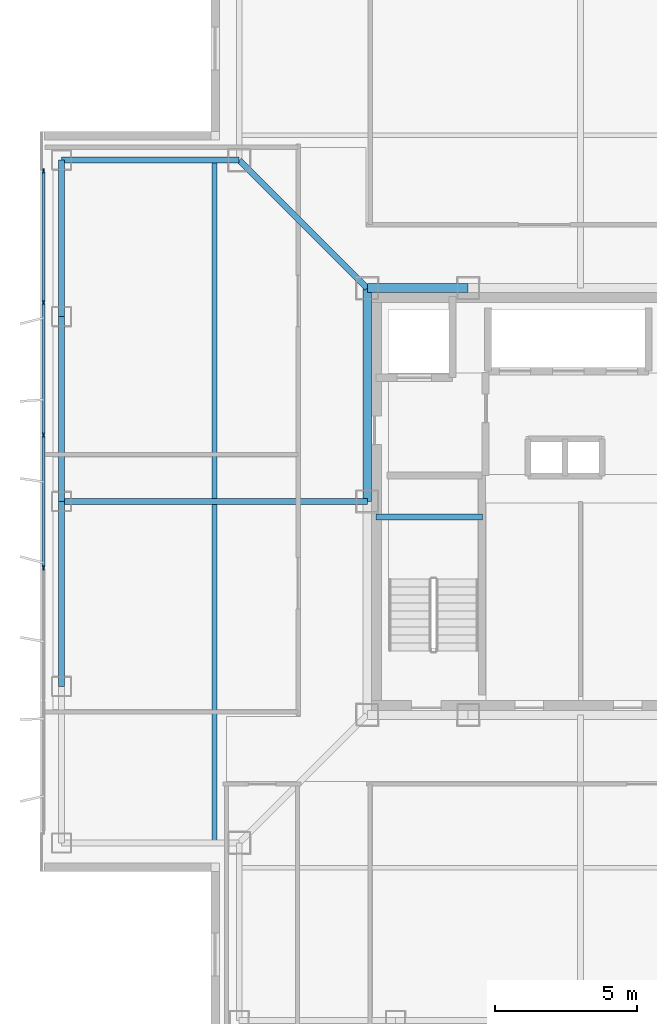
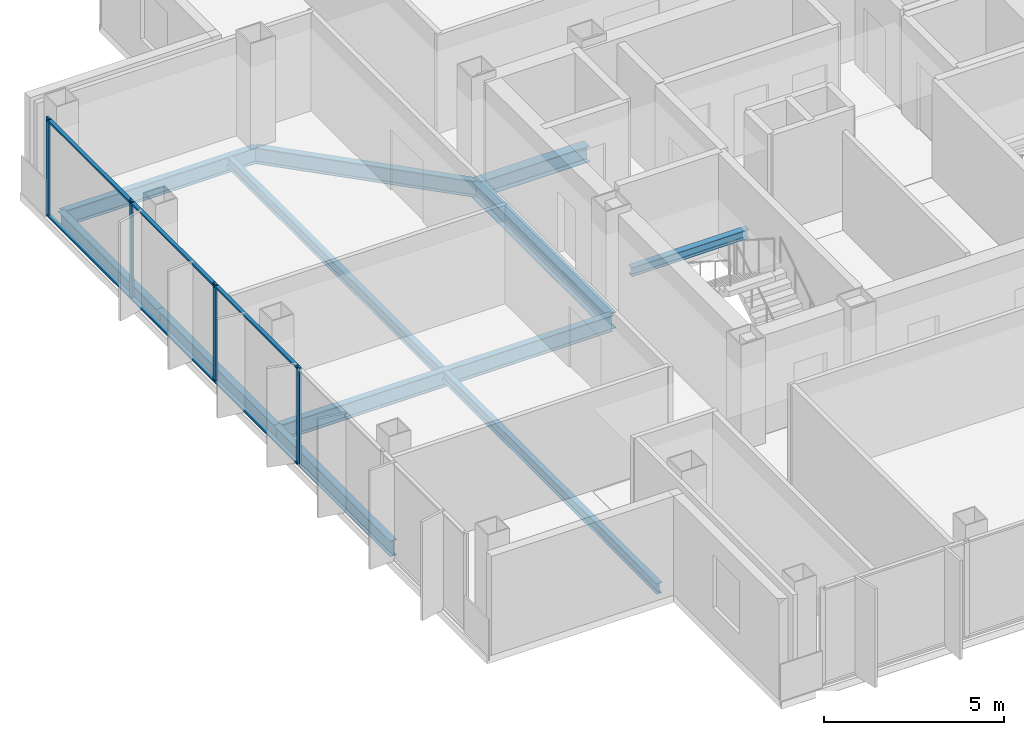
# One storey, part 4 of 15: 10 beams, 10 members, 1 element without a shape of its own.
"""IFC4 building model written with IfcOpenShell, lengths in metres."""

from ifc_helpers import new_model, si_unit, direction, frame, origin, origin_2d, place, context, subcontext, project, spatial, rectangle, i_section, extrude, material, layer, layer_set, material_profile, profile_set, type_object, element, aggregate, save


model = new_model("IFC4")

# Units and contexts
model_context = context("Model", 3, precision=1e-05, world=origin(), true_north=direction((0.0, 1.0)))
body_context = subcontext(model_context, "Body", "Model", "MODEL_VIEW")
ifc_project = project(units=[si_unit("LENGTHUNIT", "METRE"), si_unit("AREAUNIT", "SQUARE_METRE"), si_unit("VOLUMEUNIT", "CUBIC_METRE"), si_unit("PLANEANGLEUNIT", "RADIAN"), si_unit("MASSUNIT", "GRAM", prefix="KILO")], contexts=[model_context])

# Site, building, storey
site_placement = place(None, origin())
site = spatial("IfcSite", under=ifc_project, at=site_placement, CompositionType="ELEMENT")
building_placement = place(site_placement, origin())
building = spatial("IfcBuilding", under=site, at=building_placement, Name="Trevonay Congress Spire", CompositionType="ELEMENT")
storey_placement = place(building_placement, frame((0.0, 0.0, 261.199951171875)))
storey = spatial("IfcBuildingStorey", under=building, at=storey_placement, Name="L68", CompositionType="ELEMENT", Elevation=261.199951171875)

# Beams
ifc_material_1 = material(Name="Steel ASTM A572 Grade 50", Category="steel")
ifc_material_profile_1 = material_profile(ifc_material_1, i_section(OverallWidth=0.2119140625, OverallDepth=0.5439453125, WebThickness=0.01318359375, FlangeThickness=0.021240234375, FilletRadius=0.014892578125, at=origin_2d()), Name="W530x123")
ifc_profile_set_1 = profile_set([ifc_material_profile_1], Name="Steel ASTM A572 Grade 50")
beam_type_1 = type_object("IfcBeamType", Name="BM-GIRD-W530X123", PredefinedType="BEAM", material=ifc_profile_set_1)
beam_1_placement = place(storey_placement, frame((-7.5, 7.5, -0.511962890625), z_axis=(-0.707106781187, 0.707106781187, 0.0), x_axis=(-0.707106781187, -0.707106781187, 0.0)))
element("IfcBeam", 1, at=beam_1_placement, inside=storey, type_object=beam_type_1, Name="L68 structural beam BM-L68-CDNW", PredefinedType="BEAM", context=body_context, shape_type="SweptSolid", body=[
    extrude(i_section(OverallWidth=0.2119140625, OverallDepth=0.5439453125, WebThickness=0.01318359375, FlangeThickness=0.021240234375, FilletRadius=0.014892578125, at=origin_2d()), origin(), (0.0, 0.0, 1.0), 6.364013671875),
])
beam_2_placement = place(storey_placement, frame((-7.5, 0.0, -0.511962890625), z_axis=(-1.0, 0.0, 0.0), x_axis=(0.0, -1.0, 0.0)))
element("IfcBeam", 2, at=beam_2_placement, inside=storey, type_object=beam_type_1, Name="L68 structural beam BM-L68-GC-W", PredefinedType="BEAM", context=body_context, shape_type="SweptSolid", body=[
    extrude(i_section(OverallWidth=0.2119140625, OverallDepth=0.5439453125, WebThickness=0.01318359375, FlangeThickness=0.021240234375, FilletRadius=0.014892578125, at=origin_2d()), origin(), (0.0, 0.0, 1.0), 10.75),
])
ifc_material_profile_2 = material_profile(ifc_material_1, i_section(OverallWidth=0.31201171875, OverallDepth=0.54296875, WebThickness=0.0126953125, FlangeThickness=0.020263671875, FilletRadius=0.014892578125, at=origin_2d()), Name="W530x150")
ifc_profile_set_2 = profile_set([ifc_material_profile_2], Name="Steel ASTM A572 Grade 50")
beam_type_2 = type_object("IfcBeamType", Name="BM-GIRD-W530X150", PredefinedType="BEAM", material=ifc_profile_set_2)
beam_3_placement = place(storey_placement, frame((-7.5, 7.5, -0.511474609375), z_axis=(1.0, 0.0, 0.0), x_axis=(0.0, 1.0, 0.0)))
element("IfcBeam", 3, at=beam_3_placement, inside=storey, type_object=beam_type_2, Name="L68 structural beam BM-L68-CR-N1", PredefinedType="BEAM", context=body_context, shape_type="SweptSolid", body=[
    extrude(i_section(OverallWidth=0.31201171875, OverallDepth=0.54296875, WebThickness=0.0126953125, FlangeThickness=0.020263671875, FilletRadius=0.014892578125, at=origin_2d()), origin(), (0.0, 0.0, 1.0), 3.550048828125),
])
beam_4_placement = place(storey_placement, frame((-7.5, 0.0, -0.511474609375), z_axis=(0.0, 1.0, 0.0), x_axis=(-1.0, 0.0, 0.0)))
element("IfcBeam", 4, at=beam_4_placement, inside=storey, type_object=beam_type_2, Name="L68 structural beam BM-L68-CR-W2", PredefinedType="BEAM", context=body_context, shape_type="SweptSolid", body=[
    extrude(i_section(OverallWidth=0.31201171875, OverallDepth=0.54296875, WebThickness=0.0126953125, FlangeThickness=0.020263671875, FilletRadius=0.014892578125, at=origin_2d()), origin(), (0.0, 0.0, 1.0), 7.5),
])
ifc_material_profile_3 = material_profile(ifc_material_1, i_section(OverallWidth=0.208984375, OverallDepth=0.532958984375, WebThickness=0.01025390625, FlangeThickness=0.015625, FilletRadius=0.014892578125, at=origin_2d()), Name="W530x92")
ifc_profile_set_3 = profile_set([ifc_material_profile_3], Name="Steel ASTM A572 Grade 50")
beam_type_3 = type_object("IfcBeamType", Name="BM-RING-W530X92", PredefinedType="BEAM", material=ifc_profile_set_3)
for number, where, z_axis, x_axis, name in (
    (5, (-18.25, -6.5, -0.50634765625), (0.0, 1.0, 0.0), (-1.0, 0.0, 0.0), "L68 structural beam BM-L68-PW2"),
    (6, (-18.25, 0.0, -0.50634765625), (0.0, 1.0, 0.0), (-1.0, 0.0, 0.0), "L68 structural beam BM-L68-PW3"),
):
    element("IfcBeam", number, at=place(storey_placement, frame(where, z_axis=z_axis, x_axis=x_axis)), inside=storey, type_object=beam_type_3, Name=name, PredefinedType="BEAM", context=body_context, shape_type="SweptSolid", body=[
        extrude(i_section(OverallWidth=0.208984375, OverallDepth=0.532958984375, WebThickness=0.01025390625, FlangeThickness=0.015625, FilletRadius=0.014892578125, at=origin_2d()), origin(), (0.0, 0.0, 1.0), 6.5),
    ])
beam_5_placement = place(storey_placement, frame((-18.25, 6.5, -0.50634765625), z_axis=(0.0, 1.0, 0.0), x_axis=(-1.0, 0.0, 0.0)))
element("IfcBeam", 7, at=beam_5_placement, inside=storey, type_object=beam_type_3, Name="L68 structural beam BM-L68-PW4", PredefinedType="BEAM", context=body_context, shape_type="SweptSolid", body=[
    extrude(i_section(OverallWidth=0.208984375, OverallDepth=0.532958984375, WebThickness=0.01025390625, FlangeThickness=0.015625, FilletRadius=0.014892578125, at=origin_2d()), origin(), (0.0, 0.0, 1.0), 5.5),
])
beam_6_placement = place(storey_placement, frame((-18.25, 12.0, -0.50634765625), z_axis=(1.0, 0.0, 0.0), x_axis=(0.0, 1.0, 0.0)))
element("IfcBeam", 8, at=beam_6_placement, inside=storey, type_object=beam_type_3, Name="L68 structural beam BM-L68-N2NW", PredefinedType="BEAM", context=body_context, shape_type="SweptSolid", body=[
    extrude(i_section(OverallWidth=0.208984375, OverallDepth=0.532958984375, WebThickness=0.01025390625, FlangeThickness=0.015625, FilletRadius=0.014892578125, at=origin_2d()), origin(), (0.0, 0.0, 1.0), 6.25),
])

# Curtain wall, members
ifc_material_2 = material(Name="Pale Anodised Aluminium EN AW-6063-T6", Category="aluminium")
ifc_layer = layer(ifc_material_2, 0.1650390625, Name="Pale Anodised Aluminium EN AW-6063-T6")
ifc_layer_set = layer_set([ifc_layer], Name="Pale Anodised Aluminium EN AW-6063-T6")
curtain_wall_type = type_object("IfcCurtainWallType", Name="CW-SYS05-DIPLOM-PALE-METAL", PredefinedType="NOTDEFINED", material=ifc_layer_set)
curtain_wall_placement = place(storey_placement, origin())
curtain_wall = element("IfcCurtainWall", 9, at=curtain_wall_placement, inside=storey, type_object=curtain_wall_type, Name="L68 W unitised curtain wall", PredefinedType="NOTDEFINED")
ifc_material_profile_4 = material_profile(ifc_material_2, rectangle(XDim=0.06005859375, YDim=0.159912109375, at=origin_2d()), Name="CW-MULLION-160-ALUMINIUM")
ifc_profile_set_4 = profile_set([ifc_material_profile_4], Name="Pale Anodised Aluminium EN AW-6063-T6")
member_type_1 = type_object("IfcMemberType", Name="CW-MULLION-160-ALUMINIUM", PredefinedType="MULLION", material=ifc_profile_set_4)
member_1_placement = place(storey_placement, frame((-18.8798828125, -2.330078125, 0.0), z_axis=(0.0, 0.0, 1.0), x_axis=(-1.0, 0.0, 0.0)))
member_1 = element("IfcMember", 10, at=member_1_placement, type_object=member_type_1, Name="CW05 mullion 3", PredefinedType="MULLION", context=body_context, shape_type="SweptSolid", body=[
    extrude(rectangle(XDim=0.06005859375, YDim=0.159912109375, at=origin_2d()), origin(), (0.0, 0.0, 1.0), 3.360107421875),
])
member_2_placement = place(storey_placement, frame((-18.8798828125, 2.330078125, 0.0), z_axis=(0.0, 0.0, 1.0), x_axis=(-1.0, 0.0, 0.0)))
member_2 = element("IfcMember", 11, at=member_2_placement, type_object=member_type_1, Name="CW05 mullion 4", PredefinedType="MULLION", context=body_context, shape_type="SweptSolid", body=[
    extrude(rectangle(XDim=0.06005859375, YDim=0.159912109375, at=origin_2d()), origin(), (0.0, 0.0, 1.0), 3.360107421875),
])
member_3_placement = place(storey_placement, frame((-18.8798828125, 6.989990234375, 0.0), z_axis=(0.0, 0.0, 1.0), x_axis=(-1.0, 0.0, 0.0)))
member_3 = element("IfcMember", 12, at=member_3_placement, type_object=member_type_1, Name="CW05 mullion 5", PredefinedType="MULLION", context=body_context, shape_type="SweptSolid", body=[
    extrude(rectangle(XDim=0.06005859375, YDim=0.159912109375, at=origin_2d()), origin(), (0.0, 0.0, 1.0), 3.360107421875),
])
member_4_placement = place(storey_placement, frame((-18.8798828125, 11.6201171875, 0.0), z_axis=(0.0, 0.0, 1.0), x_axis=(-1.0, 0.0, 0.0)))
member_4 = element("IfcMember", 13, at=member_4_placement, type_object=member_type_1, Name="CW05 mullion 6", PredefinedType="MULLION", context=body_context, shape_type="SweptSolid", body=[
    extrude(rectangle(XDim=0.06005859375, YDim=0.159912109375, at=origin_2d()), origin(), (0.0, 0.0, 1.0), 3.360107421875),
])
ifc_material_profile_5 = material_profile(ifc_material_2, rectangle(XDim=0.1201171875, YDim=0.06005859375, at=origin_2d()), Name="CW-TRANSOM-120-ALUMINIUM")
ifc_profile_set_5 = profile_set([ifc_material_profile_5], Name="Pale Anodised Aluminium EN AW-6063-T6")
member_type_2 = type_object("IfcMemberType", Name="CW-TRANSOM-120-ALUMINIUM", PredefinedType="USERDEFINED", material=ifc_profile_set_5)
member_5_placement = place(storey_placement, frame((-18.8798828125, -2.300048828125, 0.06005859375), z_axis=(0.0, 1.0, 0.0), x_axis=(-1.0, 0.0, 0.0)))
member_5 = element("IfcMember", 14, at=member_5_placement, type_object=member_type_2, Name="CW05 transom 3.1", ObjectType="TRANSOM", PredefinedType="USERDEFINED", context=body_context, shape_type="SweptSolid", body=[
    extrude(rectangle(XDim=0.1201171875, YDim=0.06005859375, at=origin_2d()), origin(), (0.0, 0.0, 1.0), 4.60009765625),
])
member_6_placement = place(storey_placement, frame((-18.8798828125, -2.300048828125, 3.300048828125), z_axis=(0.0, 1.0, 0.0), x_axis=(-1.0, 0.0, 0.0)))
member_6 = element("IfcMember", 15, at=member_6_placement, type_object=member_type_2, Name="CW05 transom 3.2", ObjectType="TRANSOM", PredefinedType="USERDEFINED", context=body_context, shape_type="SweptSolid", body=[
    extrude(rectangle(XDim=0.1201171875, YDim=0.06005859375, at=origin_2d()), origin(), (0.0, 0.0, 1.0), 4.60009765625),
])
member_7_placement = place(storey_placement, frame((-18.8798828125, 2.360107421875, 0.06005859375), z_axis=(0.0, 1.0, 0.0), x_axis=(-1.0, 0.0, 0.0)))
member_7 = element("IfcMember", 16, at=member_7_placement, type_object=member_type_2, Name="CW05 transom 4.1", ObjectType="TRANSOM", PredefinedType="USERDEFINED", context=body_context, shape_type="SweptSolid", body=[
    extrude(rectangle(XDim=0.1201171875, YDim=0.06005859375, at=origin_2d()), origin(), (0.0, 0.0, 1.0), 4.599853515625),
])
member_8_placement = place(storey_placement, frame((-18.8798828125, 2.360107421875, 3.300048828125), z_axis=(0.0, 1.0, 0.0), x_axis=(-1.0, 0.0, 0.0)))
member_8 = element("IfcMember", 17, at=member_8_placement, type_object=member_type_2, Name="CW05 transom 4.2", ObjectType="TRANSOM", PredefinedType="USERDEFINED", context=body_context, shape_type="SweptSolid", body=[
    extrude(rectangle(XDim=0.1201171875, YDim=0.06005859375, at=origin_2d()), origin(), (0.0, 0.0, 1.0), 4.599853515625),
])
member_9_placement = place(storey_placement, frame((-18.8798828125, 7.02001953125, 0.06005859375), z_axis=(0.0, 1.0, 0.0), x_axis=(-1.0, 0.0, 0.0)))
member_9 = element("IfcMember", 18, at=member_9_placement, type_object=member_type_2, Name="CW05 transom 5.1", ObjectType="TRANSOM", PredefinedType="USERDEFINED", context=body_context, shape_type="SweptSolid", body=[
    extrude(rectangle(XDim=0.1201171875, YDim=0.06005859375, at=origin_2d()), origin(), (0.0, 0.0, 1.0), 4.570068359375),
])
member_10_placement = place(storey_placement, frame((-18.8798828125, 7.02001953125, 3.300048828125), z_axis=(0.0, 1.0, 0.0), x_axis=(-1.0, 0.0, 0.0)))
member_10 = element("IfcMember", 19, at=member_10_placement, type_object=member_type_2, Name="CW05 transom 5.2", ObjectType="TRANSOM", PredefinedType="USERDEFINED", context=body_context, shape_type="SweptSolid", body=[
    extrude(rectangle(XDim=0.1201171875, YDim=0.06005859375, at=origin_2d()), origin(), (0.0, 0.0, 1.0), 4.570068359375),
])
aggregate(curtain_wall, [member_1, member_2, member_3, member_4, member_5, member_6, member_7, member_8, member_9, member_10])

# Beams
ifc_material_profile_6 = material_profile(ifc_material_1, i_section(OverallWidth=0.172119140625, OverallDepth=0.35791015625, WebThickness=0.0078125, FlangeThickness=0.01318359375, FilletRadius=0.011962890625, at=origin_2d()), Name="W360x57.8")
ifc_profile_set_6 = profile_set([ifc_material_profile_6], Name="Steel ASTM A572 Grade 50")
beam_type_4 = type_object("IfcBeamType", Name="JS-COMP-W360X57", PredefinedType="JOIST", material=ifc_profile_set_6)
beam_7_placement = place(storey_placement, frame((-12.875, -12.0, -0.4189453125), z_axis=(0.0, 1.0, 0.0), x_axis=(-1.0, 0.0, 0.0)))
element("IfcBeam", 20, at=beam_7_placement, inside=storey, type_object=beam_type_4, Name="L68 structural beam JS-L68-RING-W", PredefinedType="JOIST", context=body_context, shape_type="SweptSolid", body=[
    extrude(i_section(OverallWidth=0.172119140625, OverallDepth=0.35791015625, WebThickness=0.0078125, FlangeThickness=0.01318359375, FilletRadius=0.011962890625, at=origin_2d()), origin(), (0.0, 0.0, 1.0), 24.0),
])
ifc_material_profile_7 = material_profile(ifc_material_1, i_section(OverallWidth=0.2041015625, OverallDepth=0.305908203125, WebThickness=0.008544921875, FlangeThickness=0.0146484375, FilletRadius=0.010986328125, at=origin_2d()), Name="W310x67")
ifc_profile_set_7 = profile_set([ifc_material_profile_7], Name="Steel ASTM A572 Grade 50")
beam_type_5 = type_object("IfcBeamType", Name="LN-CORE-W310X67", PredefinedType="LINTEL", material=ifc_profile_set_7)
beam_8_placement = place(storey_placement, frame((-7.199951171875, -0.550048828125, 1.447021484375), z_axis=(1.0, 0.0, 0.0), x_axis=(0.0, 1.0, 0.0)))
element("IfcBeam", 21, at=beam_8_placement, inside=storey, type_object=beam_type_5, Name="L68 structural beam BM-L68-HL-ST1", PredefinedType="LINTEL", context=body_context, shape_type="SweptSolid", body=[
    extrude(i_section(OverallWidth=0.2041015625, OverallDepth=0.305908203125, WebThickness=0.008544921875, FlangeThickness=0.0146484375, FilletRadius=0.010986328125, at=origin_2d()), origin(), (0.0, 0.0, 1.0), 3.75),
])

save(model, "model.ifc")
